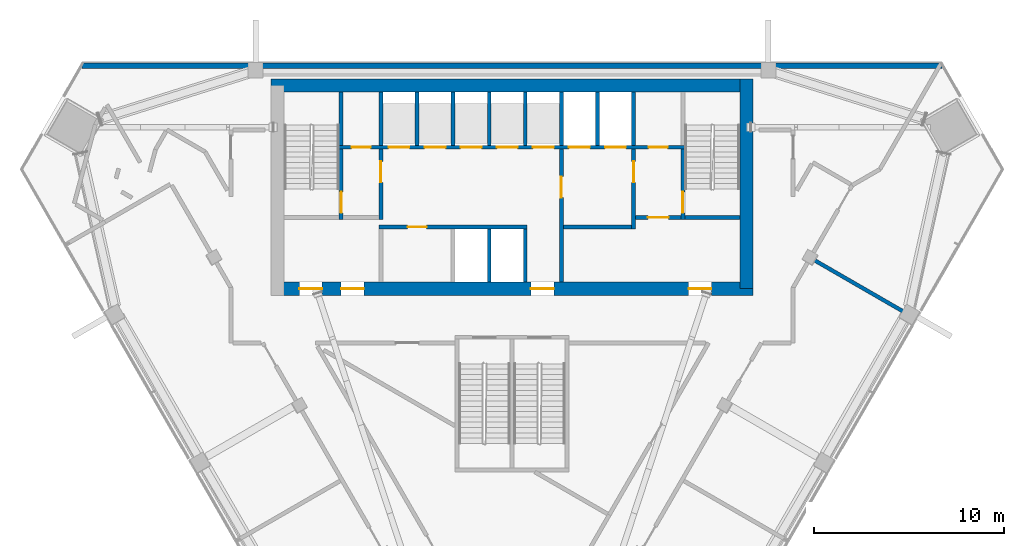
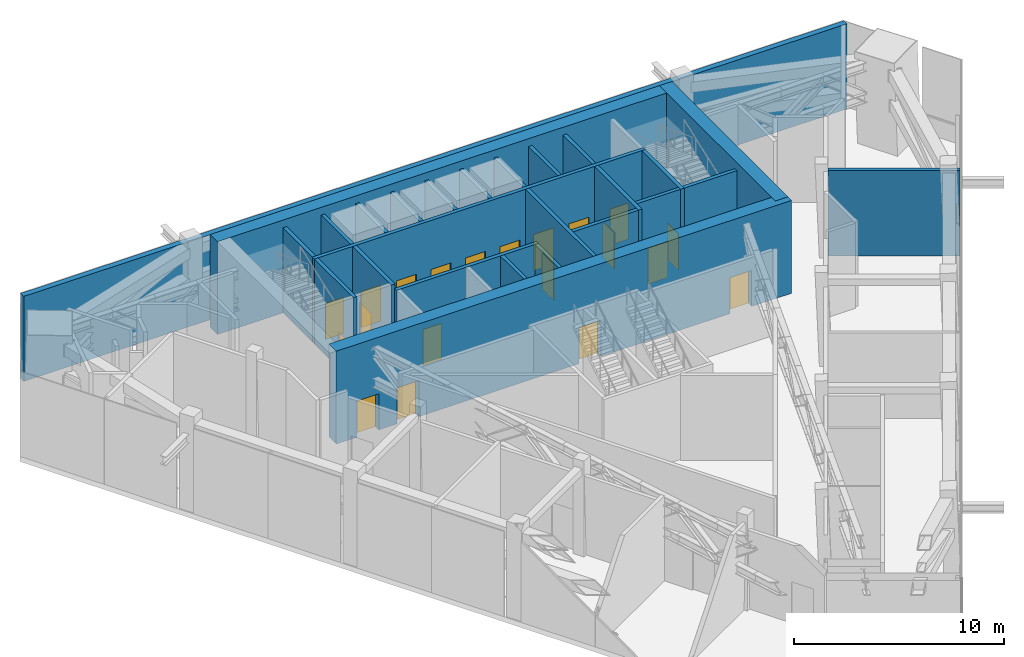
# One storey, part 10 of 14: 26 walls, 20 doors, 20 openings.
"""IFC4 building model written with IfcOpenShell, lengths in metres."""

from ifc_helpers import new_model, si_unit, direction, frame, frame_2d, origin, place, context, subcontext, project, spatial, rectangle, extrude, material, layer, layer_set, type_object, element, fill, save


model = new_model("IFC4")

# Units and contexts
model_context = context("Model", 3, precision=1e-05, world=origin(), true_north=direction((0.0, 1.0)))
body_context = subcontext(model_context, "Body", "Model", "MODEL_VIEW")
ifc_project = project(units=[si_unit("LENGTHUNIT", "METRE"), si_unit("AREAUNIT", "SQUARE_METRE"), si_unit("VOLUMEUNIT", "CUBIC_METRE"), si_unit("PLANEANGLEUNIT", "RADIAN"), si_unit("MASSUNIT", "GRAM", prefix="KILO")], contexts=[model_context])

# Site, building, storey
site_placement = place(None, origin())
site = spatial("IfcSite", under=ifc_project, at=site_placement, CompositionType="ELEMENT")
building_placement = place(site_placement, origin())
building = spatial("IfcBuilding", under=site, at=building_placement, Name="Altiplano Prism Tower", CompositionType="ELEMENT")
storey_placement = place(building_placement, frame((0.0, 0.0, 189.0)))
storey = spatial("IfcBuildingStorey", under=building, at=storey_placement, Name="L49", CompositionType="ELEMENT", Elevation=189.0)

# Wall, openings, doors
ifc_material_1 = material(Name="Concrete C60/75", Category="concrete")
ifc_layer_1 = layer(ifc_material_1, 0.699951171875)
ifc_layer_set_1 = layer_set([ifc_layer_1], Name="Concrete C60/75")
wall_type_1 = type_object("IfcWallType", Name="Core wall 700", PredefinedType="SHEAR", material=ifc_layer_set_1)
wall_1_placement = place(storey_placement, frame((72.64990234375, 93.050048828125, 0.0), z_axis=(0.0, 0.0, 1.0), x_axis=(1.0, 0.0, 0.0)))
wall_1 = element("IfcWall", 1, at=wall_1_placement, inside=storey, type_object=wall_type_1, Name="Core wall S L49", PredefinedType="SHEAR", context=body_context, shape_type="SweptSolid", body=[
    extrude(rectangle(XDim=25.050048828125, YDim=0.699951171875, at=frame_2d((12.52490234375, 0.0))), origin(), (0.0, 0.0, 1.0), 5.39990234375),
])
opening_1_placement = place(wall_1_placement, frame((1.14990234375, 0.0, 0.0)))
opening_1 = element("IfcOpeningElement", 2, at=opening_1_placement, cuts=wall_1, Name="Opening D3260", PredefinedType="OPENING", context=body_context, shape_type="SweptSolid", body=[
    extrude(rectangle(XDim=1.199951171875, YDim=2.10009765625, at=frame_2d((0.60009765625, 1.050048828125))), frame((0.0, 0.3603515625, 0.0), z_axis=(0.0, -1.0, 0.0), x_axis=(1.0, 0.0, 0.0)), (0.0, 0.0, 1.0), 0.720947265625),
])
opening_2_placement = place(wall_1_placement, frame((3.35009765625, 0.0, 0.0)))
opening_2 = element("IfcOpeningElement", 3, at=opening_2_placement, cuts=wall_1, Name="Opening D3261", PredefinedType="OPENING", context=body_context, shape_type="SweptSolid", body=[
    extrude(rectangle(XDim=1.199951171875, YDim=2.10009765625, at=frame_2d((0.60009765625, 1.050048828125))), frame((0.0, 0.3603515625, 0.0), z_axis=(0.0, -1.0, 0.0), x_axis=(1.0, 0.0, 0.0)), (0.0, 0.0, 1.0), 0.720947265625),
])
opening_3_placement = place(wall_1_placement, frame((13.35009765625, 0.0, 0.0)))
opening_3 = element("IfcOpeningElement", 4, at=opening_3_placement, cuts=wall_1, Name="Opening D3262", PredefinedType="OPENING", context=body_context, shape_type="SweptSolid", body=[
    extrude(rectangle(XDim=1.199951171875, YDim=2.10009765625, at=frame_2d((0.60009765625, 1.050048828125))), frame((0.0, 0.3603515625, 0.0), z_axis=(0.0, -1.0, 0.0), x_axis=(1.0, 0.0, 0.0)), (0.0, 0.0, 1.0), 0.720947265625),
])
opening_4_placement = place(wall_1_placement, frame((21.64990234375, 0.0, 0.0)))
opening_4 = element("IfcOpeningElement", 5, at=opening_4_placement, cuts=wall_1, Name="Opening D3265", PredefinedType="OPENING", context=body_context, shape_type="SweptSolid", body=[
    extrude(rectangle(XDim=1.199951171875, YDim=2.10009765625, at=frame_2d((0.60009765625, 1.050048828125))), frame((0.0, 0.3603515625, 0.0), z_axis=(0.0, -1.0, 0.0), x_axis=(1.0, 0.0, 0.0)), (0.0, 0.0, 1.0), 0.720947265625),
])
ifc_material_2 = material(Name="Fire-rated steel door", Category="steel")
door_type_1 = type_object("IfcDoorType", Name="Core room door 1200 x 2100", OperationType="NOTDEFINED", PredefinedType="NOTDEFINED", material=ifc_material_2)
door_1_placement = place(opening_4_placement, origin())
door_1 = element("IfcDoor", 6, at=door_1_placement, inside=storey, type_object=door_type_1, Name="Core room door D3265", OperationType="SINGLE_SWING_RIGHT", OverallHeight=2.10009765625, OverallWidth=1.199951171875, PredefinedType="NOTDEFINED", context=body_context, shape_type="SweptSolid", body=[
    extrude(rectangle(XDim=1.199951171875, YDim=2.10009765625, at=frame_2d((0.60009765625, 1.050048828125))), frame((0.0, 0.02490234375, 0.0), z_axis=(0.0, -1.0, 0.0), x_axis=(1.0, 0.0, 0.0)), (0.0, 0.0, 1.0), 0.050048828125),
])
fill(opening_4, door_1)
door_type_2 = type_object("IfcDoorType", Name="Lobby fire door 1200 x 2100", OperationType="NOTDEFINED", PredefinedType="NOTDEFINED", material=ifc_material_2)
door_2_placement = place(opening_1_placement, origin())
door_2 = element("IfcDoor", 7, at=door_2_placement, inside=storey, type_object=door_type_2, Name="Lobby fire door D3260", OperationType="SINGLE_SWING_RIGHT", OverallHeight=2.10009765625, OverallWidth=1.199951171875, PredefinedType="NOTDEFINED", context=body_context, shape_type="SweptSolid", body=[
    extrude(rectangle(XDim=1.199951171875, YDim=2.10009765625, at=frame_2d((0.60009765625, 1.050048828125))), frame((0.0, 0.02490234375, 0.0), z_axis=(0.0, -1.0, 0.0), x_axis=(1.0, 0.0, 0.0)), (0.0, 0.0, 1.0), 0.050048828125),
])
fill(opening_1, door_2)
door_3_placement = place(opening_2_placement, origin())
door_3 = element("IfcDoor", 8, at=door_3_placement, inside=storey, type_object=door_type_2, Name="Lobby fire door D3261", OperationType="SINGLE_SWING_LEFT", OverallHeight=2.10009765625, OverallWidth=1.199951171875, PredefinedType="NOTDEFINED", context=body_context, shape_type="SweptSolid", body=[
    extrude(rectangle(XDim=1.199951171875, YDim=2.10009765625, at=frame_2d((0.60009765625, 1.050048828125))), frame((0.0, 0.02490234375, 0.0), z_axis=(0.0, -1.0, 0.0), x_axis=(1.0, 0.0, 0.0)), (0.0, 0.0, 1.0), 0.050048828125),
])
fill(opening_2, door_3)
door_4_placement = place(opening_3_placement, origin())
door_4 = element("IfcDoor", 9, at=door_4_placement, inside=storey, type_object=door_type_2, Name="Lobby fire door D3262", OperationType="SINGLE_SWING_RIGHT", OverallHeight=2.10009765625, OverallWidth=1.199951171875, PredefinedType="NOTDEFINED", context=body_context, shape_type="SweptSolid", body=[
    extrude(rectangle(XDim=1.199951171875, YDim=2.10009765625, at=frame_2d((0.60009765625, 1.050048828125))), frame((0.0, 0.02490234375, 0.0), z_axis=(0.0, -1.0, 0.0), x_axis=(1.0, 0.0, 0.0)), (0.0, 0.0, 1.0), 0.050048828125),
])
fill(opening_3, door_4)

# Walls
wall_2_placement = place(storey_placement, frame((97.35009765625, 93.050048828125, 0.0), z_axis=(0.0, 0.0, 1.0), x_axis=(0.0, 1.0, 0.0)))
element("IfcWall", 10, at=wall_2_placement, inside=storey, type_object=wall_type_1, Name="Core wall E L49", PredefinedType="SHEAR", context=body_context, shape_type="SweptSolid", body=[
    extrude(rectangle(XDim=11.050048828125, YDim=0.699951171875, at=frame_2d((5.52490234375, 0.0))), origin(), (0.0, 0.0, 1.0), 5.39990234375),
])
wall_3_placement = place(storey_placement, frame((97.35009765625, 103.75, 0.0), z_axis=(0.0, 0.0, 1.0), x_axis=(-1.0, 0.0, 0.0)))
element("IfcWall", 11, at=wall_3_placement, inside=storey, type_object=wall_type_1, Name="Core wall N L49", PredefinedType="SHEAR", context=body_context, shape_type="SweptSolid", body=[
    extrude(rectangle(XDim=25.050048828125, YDim=0.699951171875, at=frame_2d((12.52490234375, 0.0))), origin(), (0.0, 0.0, 1.0), 5.39990234375),
])
ifc_material_3 = material(Name="Plasterboard on steel stud", Category="steel")
ifc_layer_2 = layer(ifc_material_3, 0.199951171875)
ifc_layer_set_2 = layer_set([ifc_layer_2], Name="Plasterboard on steel stud")
wall_type_2 = type_object("IfcWallType", Name="Partition 200 plant", PredefinedType="PARTITIONING", material=ifc_layer_set_2)
wall_4_placement = place(storey_placement, frame((106.25048828125, 91.475830078125, 0.0), z_axis=(0.0, 0.0, 1.0), x_axis=(-0.866019091382, 0.500010933242, 0.0)))
element("IfcWall", 12, at=wall_4_placement, inside=storey, type_object=wall_type_2, Name="Partition P04 L49 041", PredefinedType="PARTITIONING", context=body_context, shape_type="SweptSolid", body=[
    extrude(rectangle(XDim=6.300048828125, YDim=0.199951171875, at=frame_2d((3.14990234375, 0.0))), origin(), (0.0, 0.0, 1.0), 4.949951171875),
])

# Wall, opening, door
ifc_layer_3 = layer(ifc_material_1, 0.199951171875)
ifc_layer_set_3 = layer_set([ifc_layer_3], Name="Concrete C60/75")
wall_type_3 = type_object("IfcWallType", Name="Refuge wall 200", PredefinedType="PARTITIONING", material=ifc_layer_set_3)
wall_5_placement = place(storey_placement, frame((87.60009765625, 93.39990234375, 0.0), z_axis=(0.0, 0.0, 1.0), x_axis=(0.0, 1.0, 0.0)))
wall_5 = element("IfcWall", 13, at=wall_5_placement, inside=storey, type_object=wall_type_3, Name="Refuge wall L49", PredefinedType="PARTITIONING", context=body_context, shape_type="SweptSolid", body=[
    extrude(rectangle(XDim=7.0, YDim=0.199951171875, at=frame_2d((3.5, 0.0))), origin(), (0.0, 0.0, 1.0), 4.949951171875),
])
opening_5_placement = place(wall_5_placement, frame((4.449951171875, 0.0, 0.0)))
opening_5 = element("IfcOpeningElement", 14, at=opening_5_placement, cuts=wall_5, Name="Opening D3258", PredefinedType="OPENING", context=body_context, shape_type="SweptSolid", body=[
    extrude(rectangle(XDim=1.10009765625, YDim=2.10009765625, at=frame_2d((0.550048828125, 1.050048828125))), frame((0.0, 0.1103515625, 0.0), z_axis=(0.0, -1.0, 0.0), x_axis=(1.0, 0.0, 0.0)), (0.0, 0.0, 1.0), 0.220947265625),
])
door_type_3 = type_object("IfcDoorType", Name="Vestibule fire door 1100 x 2100", OperationType="NOTDEFINED", PredefinedType="NOTDEFINED", material=ifc_material_2)
door_5_placement = place(opening_5_placement, origin())
door_5 = element("IfcDoor", 15, at=door_5_placement, inside=storey, type_object=door_type_3, Name="Vestibule fire door D3258", OperationType="SINGLE_SWING_RIGHT", OverallHeight=2.10009765625, OverallWidth=1.10009765625, PredefinedType="NOTDEFINED", context=body_context, shape_type="SweptSolid", body=[
    extrude(rectangle(XDim=1.10009765625, YDim=2.10009765625, at=frame_2d((0.550048828125, 1.050048828125))), frame((0.0, 0.02490234375, 0.0), z_axis=(0.0, -1.0, 0.0), x_axis=(1.0, 0.0, 0.0)), (0.0, 0.0, 1.0), 0.050048828125),
])
fill(opening_5, door_5)

# Wall
wall_6_placement = place(storey_placement, frame((87.699951171875, 96.300048828125, 0.0), z_axis=(0.0, 0.0, 1.0), x_axis=(1.0, 0.0, 0.0)))
element("IfcWall", 16, at=wall_6_placement, inside=storey, type_object=wall_type_3, Name="Refuge wall L49", PredefinedType="PARTITIONING", context=body_context, shape_type="SweptSolid", body=[
    extrude(rectangle(XDim=3.60009765625, YDim=0.199951171875, at=frame_2d((1.800048828125, 0.0))), origin(), (0.0, 0.0, 1.0), 4.949951171875),
])

# Wall, opening, door
wall_7_placement = place(storey_placement, frame((91.39990234375, 96.199951171875, 0.0), z_axis=(0.0, 0.0, 1.0), x_axis=(0.0, 1.0, 0.0)))
wall_7 = element("IfcWall", 17, at=wall_7_placement, inside=storey, type_object=wall_type_3, Name="Refuge wall L49", PredefinedType="PARTITIONING", context=body_context, shape_type="SweptSolid", body=[
    extrude(rectangle(XDim=4.199951171875, YDim=0.199951171875, at=frame_2d((2.10009765625, 0.0))), origin(), (0.0, 0.0, 1.0), 4.949951171875),
])
opening_6_placement = place(wall_7_placement, frame((2.449951171875, 0.0, 0.0)))
opening_6 = element("IfcOpeningElement", 18, at=opening_6_placement, cuts=wall_7, Name="Opening D3259", PredefinedType="OPENING", context=body_context, shape_type="SweptSolid", body=[
    extrude(rectangle(XDim=1.10009765625, YDim=2.10009765625, at=frame_2d((0.550048828125, 1.050048828125))), frame((0.0, 0.1103515625, 0.0), z_axis=(0.0, -1.0, 0.0), x_axis=(1.0, 0.0, 0.0)), (0.0, 0.0, 1.0), 0.220947265625),
])
door_6_placement = place(opening_6_placement, origin())
door_6 = element("IfcDoor", 19, at=door_6_placement, inside=storey, type_object=door_type_3, Name="Vestibule fire door D3259", OperationType="SINGLE_SWING_LEFT", OverallHeight=2.10009765625, OverallWidth=1.10009765625, PredefinedType="NOTDEFINED", context=body_context, shape_type="SweptSolid", body=[
    extrude(rectangle(XDim=1.10009765625, YDim=2.10009765625, at=frame_2d((0.550048828125, 1.050048828125))), frame((0.0, 0.02490234375, 0.0), z_axis=(0.0, -1.0, 0.0), x_axis=(1.0, 0.0, 0.0)), (0.0, 0.0, 1.0), 0.050048828125),
])
fill(opening_6, door_6)

wall_8_placement = place(storey_placement, frame((91.5, 96.800048828125, 0.0), z_axis=(0.0, 0.0, 1.0), x_axis=(1.0, 0.0, 0.0)))
wall_8 = element("IfcWall", 20, at=wall_8_placement, inside=storey, type_object=wall_type_3, Name="Refuge wall L49", PredefinedType="PARTITIONING", context=body_context, shape_type="SweptSolid", body=[
    extrude(rectangle(XDim=2.39990234375, YDim=0.199951171875, at=frame_2d((1.199951171875, 0.0))), origin(), (0.0, 0.0, 1.0), 4.949951171875),
])
opening_7_placement = place(wall_8_placement, frame((0.64990234375, 0.0, 0.0)))
opening_7 = element("IfcOpeningElement", 21, at=opening_7_placement, cuts=wall_8, Name="Opening D3266", PredefinedType="OPENING", context=body_context, shape_type="SweptSolid", body=[
    extrude(rectangle(XDim=1.10009765625, YDim=2.10009765625, at=frame_2d((0.550048828125, 1.050048828125))), frame((0.0, 0.1103515625, 0.0), z_axis=(0.0, -1.0, 0.0), x_axis=(1.0, 0.0, 0.0)), (0.0, 0.0, 1.0), 0.220947265625),
])
door_7_placement = place(opening_7_placement, origin())
door_7 = element("IfcDoor", 22, at=door_7_placement, inside=storey, type_object=door_type_3, Name="Vestibule fire door D3266", OperationType="SINGLE_SWING_LEFT", OverallHeight=2.10009765625, OverallWidth=1.10009765625, PredefinedType="NOTDEFINED", context=body_context, shape_type="SweptSolid", body=[
    extrude(rectangle(XDim=1.10009765625, YDim=2.10009765625, at=frame_2d((0.550048828125, 1.050048828125))), frame((0.0, 0.02490234375, 0.0), z_axis=(0.0, -1.0, 0.0), x_axis=(1.0, 0.0, 0.0)), (0.0, 0.0, 1.0), 0.050048828125),
])
fill(opening_7, door_7)

# Walls
ifc_layer_4 = layer(ifc_material_1, 0.199951171875)
ifc_layer_set_4 = layer_set([ifc_layer_4], Name="Concrete C60/75")
wall_type_4 = type_object("IfcWallType", Name="Shaft wall 200", PredefinedType="SOLIDWALL", material=ifc_layer_set_4)
for number, where, z_axis, x_axis, name in (
    (23, (83.800048828125, 93.39990234375, 0.0), (0.0, 0.0, 1.0), (0.0, 1.0, 0.0), "Shaft wall L49"),
    (24, (85.699951171875, 93.39990234375, 0.0), (0.0, 0.0, 1.0), (0.0, 1.0, 0.0), "Shaft wall L49"),
):
    element("IfcWall", number, at=place(storey_placement, frame(where, z_axis=z_axis, x_axis=x_axis)), inside=storey, type_object=wall_type_4, Name=name, PredefinedType="SOLIDWALL", context=body_context, shape_type="SweptSolid", body=[
        extrude(rectangle(XDim=2.800048828125, YDim=0.199951171875, at=frame_2d((1.39990234375, 0.0))), origin(), (0.0, 0.0, 1.0), 4.949951171875),
    ])

# Wall, opening, door
wall_9_placement = place(storey_placement, frame((78.0, 96.300048828125, 0.0), z_axis=(0.0, 0.0, 1.0), x_axis=(1.0, 0.0, 0.0)))
wall_9 = element("IfcWall", 25, at=wall_9_placement, inside=storey, type_object=wall_type_4, Name="Shaft wall L49", PredefinedType="SOLIDWALL", context=body_context, shape_type="SweptSolid", body=[
    extrude(rectangle(XDim=7.800048828125, YDim=0.199951171875, at=frame_2d((3.89990234375, 0.0))), origin(), (0.0, 0.0, 1.0), 4.949951171875),
])
opening_8_placement = place(wall_9_placement, frame((1.5, 0.0, 0.0)))
opening_8 = element("IfcOpeningElement", 26, at=opening_8_placement, cuts=wall_9, Name="Opening D3267", PredefinedType="OPENING", context=body_context, shape_type="SweptSolid", body=[
    extrude(rectangle(XDim=1.0, YDim=2.10009765625, at=frame_2d((0.5, 1.050048828125))), frame((0.0, 0.1103515625, 0.0), z_axis=(0.0, -1.0, 0.0), x_axis=(1.0, 0.0, 0.0)), (0.0, 0.0, 1.0), 0.220947265625),
])
door_type_4 = type_object("IfcDoorType", Name="Core room door 1000 x 2100", OperationType="NOTDEFINED", PredefinedType="NOTDEFINED", material=ifc_material_2)
door_8_placement = place(opening_8_placement, origin())
door_8 = element("IfcDoor", 27, at=door_8_placement, inside=storey, type_object=door_type_4, Name="Core room door D3267", OperationType="SINGLE_SWING_RIGHT", OverallHeight=2.10009765625, OverallWidth=1.0, PredefinedType="NOTDEFINED", context=body_context, shape_type="SweptSolid", body=[
    extrude(rectangle(XDim=1.0, YDim=2.10009765625, at=frame_2d((0.5, 1.050048828125))), frame((0.0, 0.02490234375, 0.0), z_axis=(0.0, -1.0, 0.0), x_axis=(1.0, 0.0, 0.0)), (0.0, 0.0, 1.0), 0.050048828125),
])
fill(opening_8, door_8)

# Walls
for number, where, z_axis, x_axis, name in (
    (28, (78.10009765625, 100.60009765625, 0.0), (0.0, 0.0, 1.0), (0.0, 1.0, 0.0), "Shaft wall L49"),
    (29, (80.0, 100.60009765625, 0.0), (0.0, 0.0, 1.0), (0.0, 1.0, 0.0), "Shaft wall L49"),
    (30, (81.89990234375, 100.60009765625, 0.0), (0.0, 0.0, 1.0), (0.0, 1.0, 0.0), "Shaft wall L49"),
    (31, (83.800048828125, 100.60009765625, 0.0), (0.0, 0.0, 1.0), (0.0, 1.0, 0.0), "Shaft wall L49"),
    (32, (85.699951171875, 100.60009765625, 0.0), (0.0, 0.0, 1.0), (0.0, 1.0, 0.0), "Shaft wall L49"),
    (33, (87.60009765625, 100.60009765625, 0.0), (0.0, 0.0, 1.0), (0.0, 1.0, 0.0), "Shaft wall L49"),
    (34, (89.5, 100.60009765625, 0.0), (0.0, 0.0, 1.0), (0.0, 1.0, 0.0), "Shaft wall L49"),
    (35, (91.39990234375, 100.60009765625, 0.0), (0.0, 0.0, 1.0), (0.0, 1.0, 0.0), "Shaft wall L49"),
):
    element("IfcWall", number, at=place(storey_placement, frame(where, z_axis=z_axis, x_axis=x_axis)), inside=storey, type_object=wall_type_4, Name=name, PredefinedType="SOLIDWALL", context=body_context, shape_type="SweptSolid", body=[
        extrude(rectangle(XDim=2.7998046875, YDim=0.199951171875, at=frame_2d((1.39990234375, 0.0))), origin(), (0.0, 0.0, 1.0), 4.949951171875),
    ])

# Wall, opening, door
ifc_layer_5 = layer(ifc_material_1, 0.199951171875)
ifc_layer_set_5 = layer_set([ifc_layer_5], Name="Concrete C60/75")
wall_type_5 = type_object("IfcWallType", Name="Stair wall 200", PredefinedType="SOLIDWALL", material=ifc_layer_set_5)
wall_10_placement = place(storey_placement, frame((76.0, 96.699951171875, 0.0), z_axis=(0.0, 0.0, 1.0), x_axis=(0.0, 1.0, 0.0)))
wall_10 = element("IfcWall", 36, at=wall_10_placement, inside=storey, type_object=wall_type_5, Name="Stair wall L49", PredefinedType="SOLIDWALL", context=body_context, shape_type="SweptSolid", body=[
    extrude(rectangle(XDim=3.699951171875, YDim=0.199951171875, at=frame_2d((1.85009765625, 0.0))), origin(), (0.0, 0.0, 1.0), 4.949951171875),
])
opening_9_placement = place(wall_10_placement, frame((0.35009765625, 0.0, 0.0)))
opening_9 = element("IfcOpeningElement", 37, at=opening_9_placement, cuts=wall_10, Name="Opening D3255", PredefinedType="OPENING", context=body_context, shape_type="SweptSolid", body=[
    extrude(rectangle(XDim=1.10009765625, YDim=2.10009765625, at=frame_2d((0.550048828125, 1.050048828125))), frame((0.0, 0.1103515625, 0.0), z_axis=(0.0, -1.0, 0.0), x_axis=(1.0, 0.0, 0.0)), (0.0, 0.0, 1.0), 0.220947265625),
])
door_type_5 = type_object("IfcDoorType", Name="Stair fire door 1100 x 2100", OperationType="NOTDEFINED", PredefinedType="NOTDEFINED", material=ifc_material_2)
door_9_placement = place(opening_9_placement, origin())
door_9 = element("IfcDoor", 38, at=door_9_placement, inside=storey, type_object=door_type_5, Name="Stair fire door D3255", OperationType="SINGLE_SWING_RIGHT", OverallHeight=2.10009765625, OverallWidth=1.10009765625, PredefinedType="NOTDEFINED", context=body_context, shape_type="SweptSolid", body=[
    extrude(rectangle(XDim=1.10009765625, YDim=2.10009765625, at=frame_2d((0.550048828125, 1.050048828125))), frame((0.0, 0.02490234375, 0.0), z_axis=(0.0, -1.0, 0.0), x_axis=(1.0, 0.0, 0.0)), (0.0, 0.0, 1.0), 0.050048828125),
])
fill(opening_9, door_9)

wall_11_placement = place(storey_placement, frame((94.0, 96.699951171875, 0.0), z_axis=(0.0, 0.0, 1.0), x_axis=(0.0, 1.0, 0.0)))
wall_11 = element("IfcWall", 39, at=wall_11_placement, inside=storey, type_object=wall_type_5, Name="Stair wall L49", PredefinedType="SOLIDWALL", context=body_context, shape_type="SweptSolid", body=[
    extrude(rectangle(XDim=3.699951171875, YDim=0.199951171875, at=frame_2d((1.85009765625, 0.0))), origin(), (0.0, 0.0, 1.0), 4.949951171875),
])
opening_10_placement = place(wall_11_placement, frame((0.35009765625, 0.0, 0.0)))
opening_10 = element("IfcOpeningElement", 40, at=opening_10_placement, cuts=wall_11, Name="Opening D3256", PredefinedType="OPENING", context=body_context, shape_type="SweptSolid", body=[
    extrude(rectangle(XDim=1.10009765625, YDim=2.10009765625, at=frame_2d((0.550048828125, 1.050048828125))), frame((0.0, 0.1103515625, 0.0), z_axis=(0.0, -1.0, 0.0), x_axis=(1.0, 0.0, 0.0)), (0.0, 0.0, 1.0), 0.220947265625),
])
door_10_placement = place(opening_10_placement, origin())
door_10 = element("IfcDoor", 41, at=door_10_placement, inside=storey, type_object=door_type_5, Name="Stair fire door D3256", OperationType="SINGLE_SWING_LEFT", OverallHeight=2.10009765625, OverallWidth=1.10009765625, PredefinedType="NOTDEFINED", context=body_context, shape_type="SweptSolid", body=[
    extrude(rectangle(XDim=1.10009765625, YDim=2.10009765625, at=frame_2d((0.550048828125, 1.050048828125))), frame((0.0, 0.02490234375, 0.0), z_axis=(0.0, -1.0, 0.0), x_axis=(1.0, 0.0, 0.0)), (0.0, 0.0, 1.0), 0.050048828125),
])
fill(opening_10, door_10)

# Wall
wall_12_placement = place(storey_placement, frame((94.10009765625, 96.800048828125, 0.0), z_axis=(0.0, 0.0, 1.0), x_axis=(1.0, 0.0, 0.0)))
element("IfcWall", 42, at=wall_12_placement, inside=storey, type_object=wall_type_5, Name="Stair wall L49", PredefinedType="SOLIDWALL", context=body_context, shape_type="SweptSolid", body=[
    extrude(rectangle(XDim=2.89990234375, YDim=0.199951171875, at=frame_2d((1.449951171875, 0.0))), origin(), (0.0, 0.0, 1.0), 4.949951171875),
])

# Wall, openings, doors
wall_13_placement = place(storey_placement, frame((75.89990234375, 100.5, 0.0), z_axis=(0.0, 0.0, 1.0), x_axis=(1.0, 0.0, 0.0)))
wall_13 = element("IfcWall", 43, at=wall_13_placement, inside=storey, type_object=wall_type_5, Name="Stair wall L49", PredefinedType="SOLIDWALL", context=body_context, shape_type="SweptSolid", body=[
    extrude(rectangle(XDim=18.2001953125, YDim=0.199951171875, at=frame_2d((9.10009765625, 0.0))), origin(), (0.0, 0.0, 1.0), 4.949951171875),
])
opening_11_placement = place(wall_13_placement, frame((2.60009765625, 0.0, 0.0)))
opening_11 = element("IfcOpeningElement", 44, at=opening_11_placement, cuts=wall_13, Name="Opening LD-ML1-L49", PredefinedType="OPENING", context=body_context, shape_type="SweptSolid", body=[
    extrude(rectangle(XDim=1.10009765625, YDim=2.10009765625, at=frame_2d((0.550048828125, 1.050048828125))), frame((0.0, 0.1103515625, 0.0), z_axis=(0.0, -1.0, 0.0), x_axis=(1.0, 0.0, 0.0)), (0.0, 0.0, 1.0), 0.220947265625),
])
opening_12_placement = place(wall_13_placement, frame((4.5, 0.0, 0.0)))
opening_12 = element("IfcOpeningElement", 45, at=opening_12_placement, cuts=wall_13, Name="Opening LD-ML2-L49", PredefinedType="OPENING", context=body_context, shape_type="SweptSolid", body=[
    extrude(rectangle(XDim=1.10009765625, YDim=2.10009765625, at=frame_2d((0.550048828125, 1.050048828125))), frame((0.0, 0.1103515625, 0.0), z_axis=(0.0, -1.0, 0.0), x_axis=(1.0, 0.0, 0.0)), (0.0, 0.0, 1.0), 0.220947265625),
])
opening_13_placement = place(wall_13_placement, frame((6.39990234375, 0.0, 0.0)))
opening_13 = element("IfcOpeningElement", 46, at=opening_13_placement, cuts=wall_13, Name="Opening LD-ML3-L49", PredefinedType="OPENING", context=body_context, shape_type="SweptSolid", body=[
    extrude(rectangle(XDim=1.10009765625, YDim=2.10009765625, at=frame_2d((0.550048828125, 1.050048828125))), frame((0.0, 0.1103515625, 0.0), z_axis=(0.0, -1.0, 0.0), x_axis=(1.0, 0.0, 0.0)), (0.0, 0.0, 1.0), 0.220947265625),
])
opening_14_placement = place(wall_13_placement, frame((8.300048828125, 0.0, 0.0)))
opening_14 = element("IfcOpeningElement", 47, at=opening_14_placement, cuts=wall_13, Name="Opening LD-ML4-L49", PredefinedType="OPENING", context=body_context, shape_type="SweptSolid", body=[
    extrude(rectangle(XDim=1.10009765625, YDim=2.10009765625, at=frame_2d((0.550048828125, 1.050048828125))), frame((0.0, 0.1103515625, 0.0), z_axis=(0.0, -1.0, 0.0), x_axis=(1.0, 0.0, 0.0)), (0.0, 0.0, 1.0), 0.220947265625),
])
opening_15_placement = place(wall_13_placement, frame((10.199951171875, 0.0, 0.0)))
opening_15 = element("IfcOpeningElement", 48, at=opening_15_placement, cuts=wall_13, Name="Opening LD-ML5-L49", PredefinedType="OPENING", context=body_context, shape_type="SweptSolid", body=[
    extrude(rectangle(XDim=1.10009765625, YDim=2.10009765625, at=frame_2d((0.550048828125, 1.050048828125))), frame((0.0, 0.1103515625, 0.0), z_axis=(0.0, -1.0, 0.0), x_axis=(1.0, 0.0, 0.0)), (0.0, 0.0, 1.0), 0.220947265625),
])
opening_16_placement = place(wall_13_placement, frame((12.10009765625, 0.0, 0.0)))
opening_16 = element("IfcOpeningElement", 49, at=opening_16_placement, cuts=wall_13, Name="Opening LD-FF1-L49", PredefinedType="OPENING", context=body_context, shape_type="SweptSolid", body=[
    extrude(rectangle(XDim=1.10009765625, YDim=2.10009765625, at=frame_2d((0.550048828125, 1.050048828125))), frame((0.0, 0.1103515625, 0.0), z_axis=(0.0, -1.0, 0.0), x_axis=(1.0, 0.0, 0.0)), (0.0, 0.0, 1.0), 0.220947265625),
])
opening_17_placement = place(wall_13_placement, frame((14.0, 0.0, 0.0)))
opening_17 = element("IfcOpeningElement", 50, at=opening_17_placement, cuts=wall_13, Name="Opening LD-FF2-L49", PredefinedType="OPENING", context=body_context, shape_type="SweptSolid", body=[
    extrude(rectangle(XDim=1.10009765625, YDim=2.10009765625, at=frame_2d((0.550048828125, 1.050048828125))), frame((0.0, 0.1103515625, 0.0), z_axis=(0.0, -1.0, 0.0), x_axis=(1.0, 0.0, 0.0)), (0.0, 0.0, 1.0), 0.220947265625),
])
opening_18_placement = place(wall_13_placement, frame((0.64990234375, 0.0, 0.0)))
opening_18 = element("IfcOpeningElement", 51, at=opening_18_placement, cuts=wall_13, Name="Opening D3263", PredefinedType="OPENING", context=body_context, shape_type="SweptSolid", body=[
    extrude(rectangle(XDim=1.0, YDim=2.10009765625, at=frame_2d((0.5, 1.050048828125))), frame((0.0, 0.1103515625, 0.0), z_axis=(0.0, -1.0, 0.0), x_axis=(1.0, 0.0, 0.0)), (0.0, 0.0, 1.0), 0.220947265625),
])
opening_19_placement = place(wall_13_placement, frame((16.300048828125, 0.0, 0.0)))
opening_19 = element("IfcOpeningElement", 52, at=opening_19_placement, cuts=wall_13, Name="Opening D3264", PredefinedType="OPENING", context=body_context, shape_type="SweptSolid", body=[
    extrude(rectangle(XDim=1.0, YDim=2.10009765625, at=frame_2d((0.5, 1.050048828125))), frame((0.0, 0.1103515625, 0.0), z_axis=(0.0, -1.0, 0.0), x_axis=(1.0, 0.0, 0.0)), (0.0, 0.0, 1.0), 0.220947265625),
])
door_11_placement = place(opening_18_placement, origin())
door_11 = element("IfcDoor", 53, at=door_11_placement, inside=storey, type_object=door_type_4, Name="Core room door D3263", OperationType="SINGLE_SWING_LEFT", OverallHeight=2.10009765625, OverallWidth=1.0, PredefinedType="NOTDEFINED", context=body_context, shape_type="SweptSolid", body=[
    extrude(rectangle(XDim=1.0, YDim=2.10009765625, at=frame_2d((0.5, 1.050048828125))), frame((0.0, 0.02490234375, 0.0), z_axis=(0.0, -1.0, 0.0), x_axis=(1.0, 0.0, 0.0)), (0.0, 0.0, 1.0), 0.050048828125),
])
fill(opening_18, door_11)
door_12_placement = place(opening_19_placement, origin())
door_12 = element("IfcDoor", 54, at=door_12_placement, inside=storey, type_object=door_type_4, Name="Core room door D3264", OperationType="SINGLE_SWING_RIGHT", OverallHeight=2.10009765625, OverallWidth=1.0, PredefinedType="NOTDEFINED", context=body_context, shape_type="SweptSolid", body=[
    extrude(rectangle(XDim=1.0, YDim=2.10009765625, at=frame_2d((0.5, 1.050048828125))), frame((0.0, 0.02490234375, 0.0), z_axis=(0.0, -1.0, 0.0), x_axis=(1.0, 0.0, 0.0)), (0.0, 0.0, 1.0), 0.050048828125),
])
fill(opening_19, door_12)
ifc_material_4 = material(Name="Stainless steel landing door", Category="steel")
door_type_6 = type_object("IfcDoorType", Name="Landing door 1100 x 2100", OperationType="NOTDEFINED", PredefinedType="NOTDEFINED", material=ifc_material_4)
door_13_placement = place(opening_11_placement, origin())
door_13 = element("IfcDoor", 55, at=door_13_placement, inside=storey, type_object=door_type_6, Name="Landing doors ML1", OperationType="SLIDING_TO_RIGHT", OverallHeight=2.10009765625, OverallWidth=1.10009765625, PredefinedType="NOTDEFINED", context=body_context, shape_type="SweptSolid", body=[
    extrude(rectangle(XDim=1.10009765625, YDim=2.10009765625, at=frame_2d((0.550048828125, 1.050048828125))), frame((0.0, 0.02490234375, 0.0), z_axis=(0.0, -1.0, 0.0), x_axis=(1.0, 0.0, 0.0)), (0.0, 0.0, 1.0), 0.050048828125),
])
fill(opening_11, door_13)
door_14_placement = place(opening_12_placement, origin())
door_14 = element("IfcDoor", 56, at=door_14_placement, inside=storey, type_object=door_type_6, Name="Landing doors ML2", OperationType="SLIDING_TO_LEFT", OverallHeight=2.10009765625, OverallWidth=1.10009765625, PredefinedType="NOTDEFINED", context=body_context, shape_type="SweptSolid", body=[
    extrude(rectangle(XDim=1.10009765625, YDim=2.10009765625, at=frame_2d((0.550048828125, 1.050048828125))), frame((0.0, 0.02490234375, 0.0), z_axis=(0.0, -1.0, 0.0), x_axis=(1.0, 0.0, 0.0)), (0.0, 0.0, 1.0), 0.050048828125),
])
fill(opening_12, door_14)
door_15_placement = place(opening_13_placement, origin())
door_15 = element("IfcDoor", 57, at=door_15_placement, inside=storey, type_object=door_type_6, Name="Landing doors ML3", OperationType="SLIDING_TO_RIGHT", OverallHeight=2.10009765625, OverallWidth=1.10009765625, PredefinedType="NOTDEFINED", context=body_context, shape_type="SweptSolid", body=[
    extrude(rectangle(XDim=1.10009765625, YDim=2.10009765625, at=frame_2d((0.550048828125, 1.050048828125))), frame((0.0, 0.02490234375, 0.0), z_axis=(0.0, -1.0, 0.0), x_axis=(1.0, 0.0, 0.0)), (0.0, 0.0, 1.0), 0.050048828125),
])
fill(opening_13, door_15)
door_16_placement = place(opening_14_placement, origin())
door_16 = element("IfcDoor", 58, at=door_16_placement, inside=storey, type_object=door_type_6, Name="Landing doors ML4", OperationType="SLIDING_TO_LEFT", OverallHeight=2.10009765625, OverallWidth=1.10009765625, PredefinedType="NOTDEFINED", context=body_context, shape_type="SweptSolid", body=[
    extrude(rectangle(XDim=1.10009765625, YDim=2.10009765625, at=frame_2d((0.550048828125, 1.050048828125))), frame((0.0, 0.02490234375, 0.0), z_axis=(0.0, -1.0, 0.0), x_axis=(1.0, 0.0, 0.0)), (0.0, 0.0, 1.0), 0.050048828125),
])
fill(opening_14, door_16)
door_17_placement = place(opening_15_placement, origin())
door_17 = element("IfcDoor", 59, at=door_17_placement, inside=storey, type_object=door_type_6, Name="Landing doors ML5", OperationType="SLIDING_TO_RIGHT", OverallHeight=2.10009765625, OverallWidth=1.10009765625, PredefinedType="NOTDEFINED", context=body_context, shape_type="SweptSolid", body=[
    extrude(rectangle(XDim=1.10009765625, YDim=2.10009765625, at=frame_2d((0.550048828125, 1.050048828125))), frame((0.0, 0.02490234375, 0.0), z_axis=(0.0, -1.0, 0.0), x_axis=(1.0, 0.0, 0.0)), (0.0, 0.0, 1.0), 0.050048828125),
])
fill(opening_15, door_17)
door_18_placement = place(opening_16_placement, origin())
door_18 = element("IfcDoor", 60, at=door_18_placement, inside=storey, type_object=door_type_6, Name="Landing doors FF1", OperationType="SLIDING_TO_RIGHT", OverallHeight=2.10009765625, OverallWidth=1.10009765625, PredefinedType="NOTDEFINED", context=body_context, shape_type="SweptSolid", body=[
    extrude(rectangle(XDim=1.10009765625, YDim=2.10009765625, at=frame_2d((0.550048828125, 1.050048828125))), frame((0.0, 0.02490234375, 0.0), z_axis=(0.0, -1.0, 0.0), x_axis=(1.0, 0.0, 0.0)), (0.0, 0.0, 1.0), 0.050048828125),
])
fill(opening_16, door_18)
door_19_placement = place(opening_17_placement, origin())
door_19 = element("IfcDoor", 61, at=door_19_placement, inside=storey, type_object=door_type_6, Name="Landing doors FF2", OperationType="SLIDING_TO_LEFT", OverallHeight=2.10009765625, OverallWidth=1.10009765625, PredefinedType="NOTDEFINED", context=body_context, shape_type="SweptSolid", body=[
    extrude(rectangle(XDim=1.10009765625, YDim=2.10009765625, at=frame_2d((0.550048828125, 1.050048828125))), frame((0.0, 0.02490234375, 0.0), z_axis=(0.0, -1.0, 0.0), x_axis=(1.0, 0.0, 0.0)), (0.0, 0.0, 1.0), 0.050048828125),
])
fill(opening_17, door_19)

# Walls
wall_14_placement = place(storey_placement, frame((76.0, 100.60009765625, 0.0), z_axis=(0.0, 0.0, 1.0), x_axis=(0.0, 1.0, 0.0)))
element("IfcWall", 62, at=wall_14_placement, inside=storey, type_object=wall_type_5, Name="Stair wall L49", PredefinedType="SOLIDWALL", context=body_context, shape_type="SweptSolid", body=[
    extrude(rectangle(XDim=2.7998046875, YDim=0.199951171875, at=frame_2d((1.39990234375, 0.0))), origin(), (0.0, 0.0, 1.0), 4.949951171875),
])
ifc_material_5 = material(Name="Concrete C40", Category="concrete")
ifc_layer_6 = layer(ifc_material_5, 0.300048828125)
ifc_layer_set_6 = layer_set([ifc_layer_6], Name="Concrete C40")
wall_type_6 = type_object("IfcWallType", Name="Stone-clad external wall 300", PredefinedType="SOLIDWALL", material=ifc_layer_set_6)
wall_15_placement = place(storey_placement, frame((62.3623046875, 104.7900390625, 0.0), z_axis=(0.0, 0.0, 1.0), x_axis=(1.0, 0.0, 0.0)))
element("IfcWall", 63, at=wall_15_placement, inside=storey, type_object=wall_type_6, Name="External wall north face L49", PredefinedType="SOLIDWALL", context=body_context, shape_type="SweptSolid", body=[
    extrude(rectangle(XDim=45.275390625, YDim=0.300048828125, at=frame_2d((22.6376953125, 0.0))), origin(), (0.0, 0.0, 1.0), 4.949951171875),
])

# Wall, opening, door
ifc_layer_7 = layer(ifc_material_1, 0.199951171875)
ifc_layer_set_7 = layer_set([ifc_layer_7], Name="Concrete C60/75")
wall_type_7 = type_object("IfcWallType", Name="Vestibule wall 200", PredefinedType="PARTITIONING", material=ifc_layer_set_7)
wall_16_placement = place(storey_placement, frame((78.10009765625, 96.699951171875, 0.0), z_axis=(0.0, 0.0, 1.0), x_axis=(0.0, 1.0, 0.0)))
wall_16 = element("IfcWall", 64, at=wall_16_placement, inside=storey, type_object=wall_type_7, Name="Vestibule wall L49", PredefinedType="PARTITIONING", context=body_context, shape_type="SweptSolid", body=[
    extrude(rectangle(XDim=3.699951171875, YDim=0.199951171875, at=frame_2d((1.85009765625, 0.0))), origin(), (0.0, 0.0, 1.0), 4.949951171875),
])
opening_20_placement = place(wall_16_placement, frame((1.949951171875, 0.0, 0.0)))
opening_20 = element("IfcOpeningElement", 65, at=opening_20_placement, cuts=wall_16, Name="Opening D3257", PredefinedType="OPENING", context=body_context, shape_type="SweptSolid", body=[
    extrude(rectangle(XDim=1.10009765625, YDim=2.10009765625, at=frame_2d((0.550048828125, 1.050048828125))), frame((0.0, 0.1103515625, 0.0), z_axis=(0.0, -1.0, 0.0), x_axis=(1.0, 0.0, 0.0)), (0.0, 0.0, 1.0), 0.220947265625),
])
door_20_placement = place(opening_20_placement, origin())
door_20 = element("IfcDoor", 66, at=door_20_placement, inside=storey, type_object=door_type_3, Name="Vestibule fire door D3257", OperationType="SINGLE_SWING_LEFT", OverallHeight=2.10009765625, OverallWidth=1.10009765625, PredefinedType="NOTDEFINED", context=body_context, shape_type="SweptSolid", body=[
    extrude(rectangle(XDim=1.10009765625, YDim=2.10009765625, at=frame_2d((0.550048828125, 1.050048828125))), frame((0.0, 0.02490234375, 0.0), z_axis=(0.0, -1.0, 0.0), x_axis=(1.0, 0.0, 0.0)), (0.0, 0.0, 1.0), 0.050048828125),
])
fill(opening_20, door_20)

save(model, "model.ifc")
